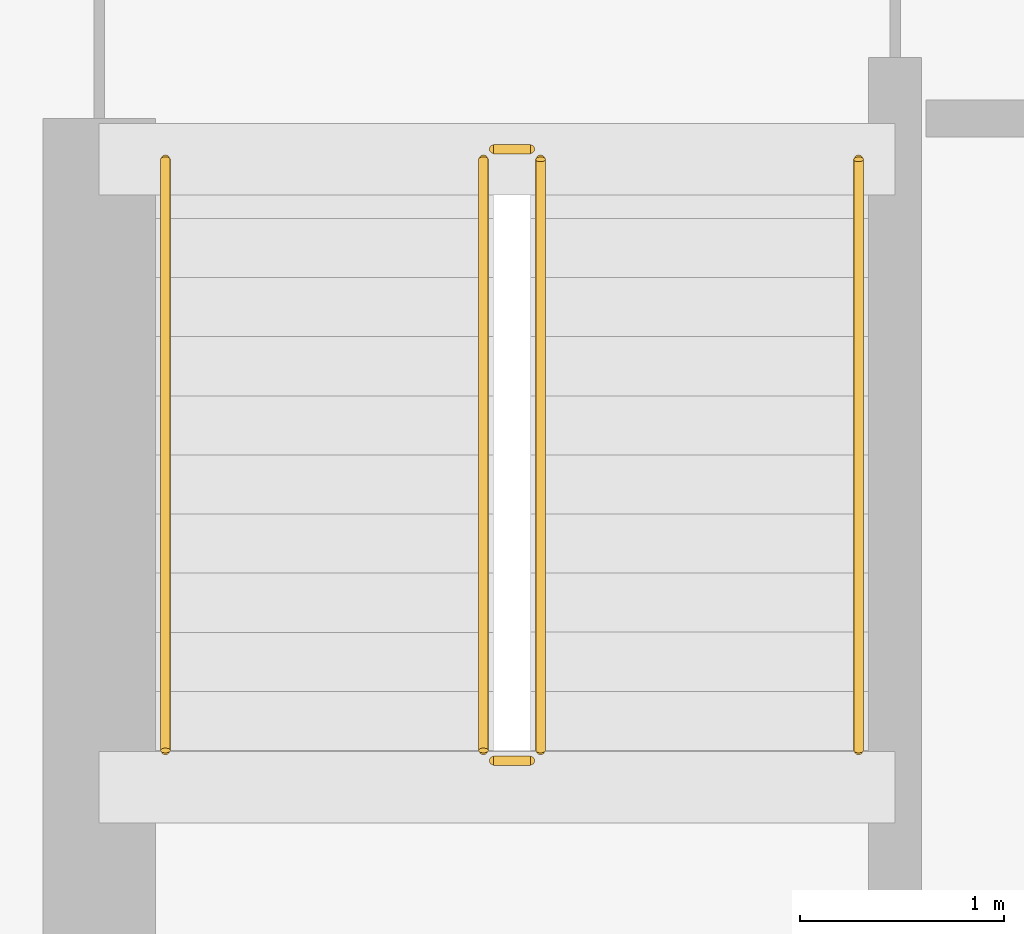
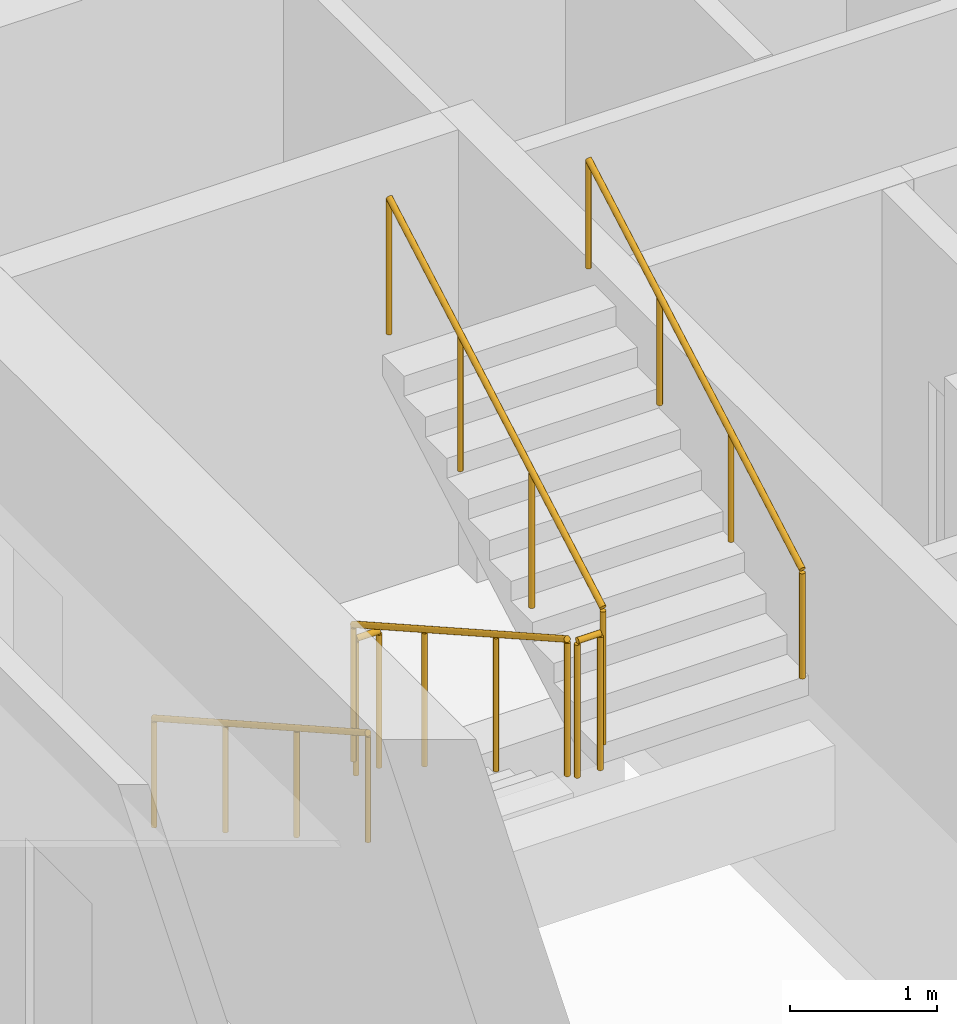
# One storey, part 8 of 10: 6 railings.
"""IFC4 building model written with IfcOpenShell, lengths in metres."""

from ifc_helpers import new_model, si_unit, direction, frame, origin, origin_2d, place, context, subcontext, project, spatial, circle, extrude, material, type_object, element, save


model = new_model("IFC4")

# Units and contexts
model_context = context("Model", 3, precision=1e-05, world=origin(), true_north=direction((0.0, 1.0)))
body_context = subcontext(model_context, "Body", "Model", "MODEL_VIEW")
ifc_project = project(units=[si_unit("LENGTHUNIT", "METRE"), si_unit("AREAUNIT", "SQUARE_METRE"), si_unit("VOLUMEUNIT", "CUBIC_METRE"), si_unit("PLANEANGLEUNIT", "RADIAN"), si_unit("MASSUNIT", "GRAM", prefix="KILO")], contexts=[model_context])

# Site, building, storey
site_placement = place(None, origin())
site = spatial("IfcSite", under=ifc_project, at=site_placement, CompositionType="ELEMENT")
building_placement = place(site_placement, origin())
building = spatial("IfcBuilding", under=site, at=building_placement, Name="Calvemar Wedge Station Tower", CompositionType="ELEMENT")
storey_placement = place(building_placement, frame((0.0, 0.0, 267.300048828125)))
storey = spatial("IfcBuildingStorey", under=building, at=storey_placement, Name="L68", CompositionType="ELEMENT", Elevation=267.300048828125)

# Railings
ifc_material_1 = material(Name="Stainless steel AISI 316L", Category="steel")
railing_type_1 = type_object("IfcRailingType", Name="RL-HANDRAIL-920", PredefinedType="HANDRAIL", material=ifc_material_1)
railing_1_placement = place(storey_placement, frame((16.64990234375, 41.14990234375, 0.16357421875)))
element("IfcRailing", 1, at=railing_1_placement, inside=storey, type_object=railing_type_1, Name="L68 ST-C1 stair handrail 1", PredefinedType="HANDRAIL", context=body_context, shape_type="SweptSolid", body=[
    extrude(circle(Radius=0.02392578125, at=origin_2d()), frame((0.0, 0.0, 0.89599609375), z_axis=(0.0, -0.870897200241, 0.491465224214), x_axis=(1.0, 0.0, 0.0)), (0.0, 0.0, 1.0), 3.329833984375),
    extrude(circle(Radius=0.02099609375, at=origin_2d()), origin(), (0.0, 0.0, 1.0), 0.871826171875),
    extrude(circle(Radius=0.02099609375, at=origin_2d()), frame((0.0, -0.966552734375, 0.54541015625)), (0.0, 0.0, 1.0), 0.871826171875),
    extrude(circle(Radius=0.02099609375, at=origin_2d()), frame((0.0, -1.933349609375, 1.091064453125)), (0.0, 0.0, 1.0), 0.871826171875),
    extrude(circle(Radius=0.02099609375, at=origin_2d()), frame((0.0, -2.89990234375, 1.636474609375)), (0.0, 0.0, 1.0), 0.871826171875),
])
railing_2_placement = place(storey_placement, frame((20.050048828125, 38.25, 1.963623046875)))
element("IfcRailing", 2, at=railing_2_placement, inside=storey, type_object=railing_type_1, Name="L68 ST-C1 stair handrail 2", PredefinedType="HANDRAIL", context=body_context, shape_type="SweptSolid", body=[
    extrude(circle(Radius=0.02392578125, at=origin_2d()), frame((0.0, 0.0, 0.89599609375), z_axis=(0.0, 0.870928581787, 0.491409610636), x_axis=(-1.0, 0.0, 0.0)), (0.0, 0.0, 1.0), 3.32958984375),
    extrude(circle(Radius=0.02099609375, at=origin_2d()), origin(), (0.0, 0.0, 1.0), 0.871826171875),
    extrude(circle(Radius=0.02099609375, at=origin_2d()), frame((0.0, 0.966552734375, 0.54541015625)), (0.0, 0.0, 1.0), 0.871826171875),
    extrude(circle(Radius=0.02099609375, at=origin_2d()), frame((0.0, 1.933349609375, 1.0908203125)), (0.0, 0.0, 1.0), 0.871826171875),
    extrude(circle(Radius=0.02099609375, at=origin_2d()), frame((0.0, 2.89990234375, 1.63623046875)), (0.0, 0.0, 1.0), 0.871826171875),
])
ifc_material_2 = material(Name="Painted steel guardrail ASTM A500 Grade C", Category="steel")
railing_type_2 = type_object("IfcRailingType", Name="RL-STAIR-GUARD-1150", PredefinedType="GUARDRAIL", material=ifc_material_2)
railing_3_placement = place(storey_placement, frame((18.2099609375, 41.14990234375, 0.16357421875)))
element("IfcRailing", 3, at=railing_3_placement, inside=storey, type_object=railing_type_2, Name="L68 ST-C1 stair guard 1", PredefinedType="GUARDRAIL", context=body_context, shape_type="SweptSolid", body=[
    extrude(circle(Radius=0.02392578125, at=origin_2d()), frame((0.0, 0.0, 1.1259765625), z_axis=(0.0, -0.870897200241, 0.491465224214), x_axis=(1.0, 0.0, 0.0)), (0.0, 0.0, 1.0), 3.329833984375),
    extrude(circle(Radius=0.02099609375, at=origin_2d()), origin(), (0.0, 0.0, 1.0), 1.101806640625),
    extrude(circle(Radius=0.02099609375, at=origin_2d()), frame((0.0, -0.966552734375, 0.54541015625)), (0.0, 0.0, 1.0), 1.101806640625),
    extrude(circle(Radius=0.02099609375, at=origin_2d()), frame((0.0, -1.933349609375, 1.091064453125)), (0.0, 0.0, 1.0), 1.101806640625),
    extrude(circle(Radius=0.02099609375, at=origin_2d()), frame((0.0, -2.89990234375, 1.636474609375)), (0.0, 0.0, 1.0), 1.101806640625),
])
railing_4_placement = place(storey_placement, frame((18.260009765625, 38.199951171875, 1.800048828125)))
element("IfcRailing", 4, at=railing_4_placement, inside=storey, type_object=railing_type_2, Name="L68 ST-C1 stair guard 2", PredefinedType="GUARDRAIL", context=body_context, shape_type="SweptSolid", body=[
    extrude(circle(Radius=0.02392578125, at=origin_2d()), frame((0.0, 0.0, 1.1259765625), z_axis=(1.0, 0.0, 0.0), x_axis=(0.0, 1.0, 0.0)), (0.0, 0.0, 1.0), 0.179931640625),
    extrude(circle(Radius=0.02099609375, at=origin_2d()), origin(), (0.0, 0.0, 1.0), 1.101806640625),
    extrude(circle(Radius=0.02099609375, at=origin_2d()), frame((0.179931640625, 0.0, 0.0)), (0.0, 0.0, 1.0), 1.101806640625),
])
railing_5_placement = place(storey_placement, frame((18.489990234375, 38.25, 1.963623046875)))
element("IfcRailing", 5, at=railing_5_placement, inside=storey, type_object=railing_type_2, Name="L68 ST-C1 stair guard 3", PredefinedType="GUARDRAIL", context=body_context, shape_type="SweptSolid", body=[
    extrude(circle(Radius=0.02392578125, at=origin_2d()), frame((0.0, 0.0, 1.1259765625), z_axis=(0.0, 0.870928581787, 0.491409610636), x_axis=(-1.0, 0.0, 0.0)), (0.0, 0.0, 1.0), 3.32958984375),
    extrude(circle(Radius=0.02099609375, at=origin_2d()), origin(), (0.0, 0.0, 1.0), 1.101806640625),
    extrude(circle(Radius=0.02099609375, at=origin_2d()), frame((0.0, 0.966552734375, 0.54541015625)), (0.0, 0.0, 1.0), 1.101806640625),
    extrude(circle(Radius=0.02099609375, at=origin_2d()), frame((0.0, 1.933349609375, 1.0908203125)), (0.0, 0.0, 1.0), 1.101806640625),
    extrude(circle(Radius=0.02099609375, at=origin_2d()), frame((0.0, 2.89990234375, 1.63623046875)), (0.0, 0.0, 1.0), 1.101806640625),
])
railing_6_placement = place(storey_placement, frame((18.260009765625, 41.199951171875, 0.0)))
element("IfcRailing", 6, at=railing_6_placement, inside=storey, type_object=railing_type_2, Name="L68 ST-C1 stair guard 4", PredefinedType="GUARDRAIL", context=body_context, shape_type="SweptSolid", body=[
    extrude(circle(Radius=0.02392578125, at=origin_2d()), frame((0.0, 0.0, 1.1259765625), z_axis=(1.0, 0.0, 0.0), x_axis=(0.0, 1.0, 0.0)), (0.0, 0.0, 1.0), 0.179931640625),
    extrude(circle(Radius=0.02099609375, at=origin_2d()), origin(), (0.0, 0.0, 1.0), 1.101806640625),
    extrude(circle(Radius=0.02099609375, at=origin_2d()), frame((0.179931640625, 0.0, 0.0)), (0.0, 0.0, 1.0), 1.101806640625),
])

save(model, "model.ifc")
